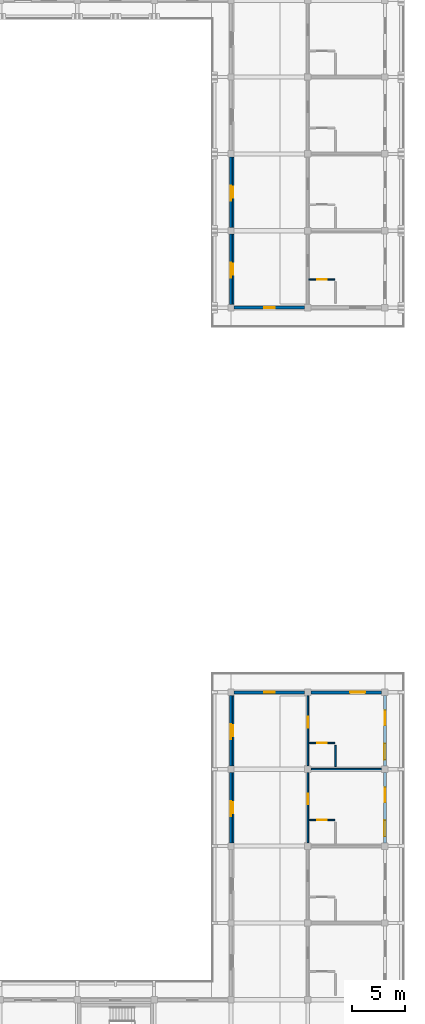
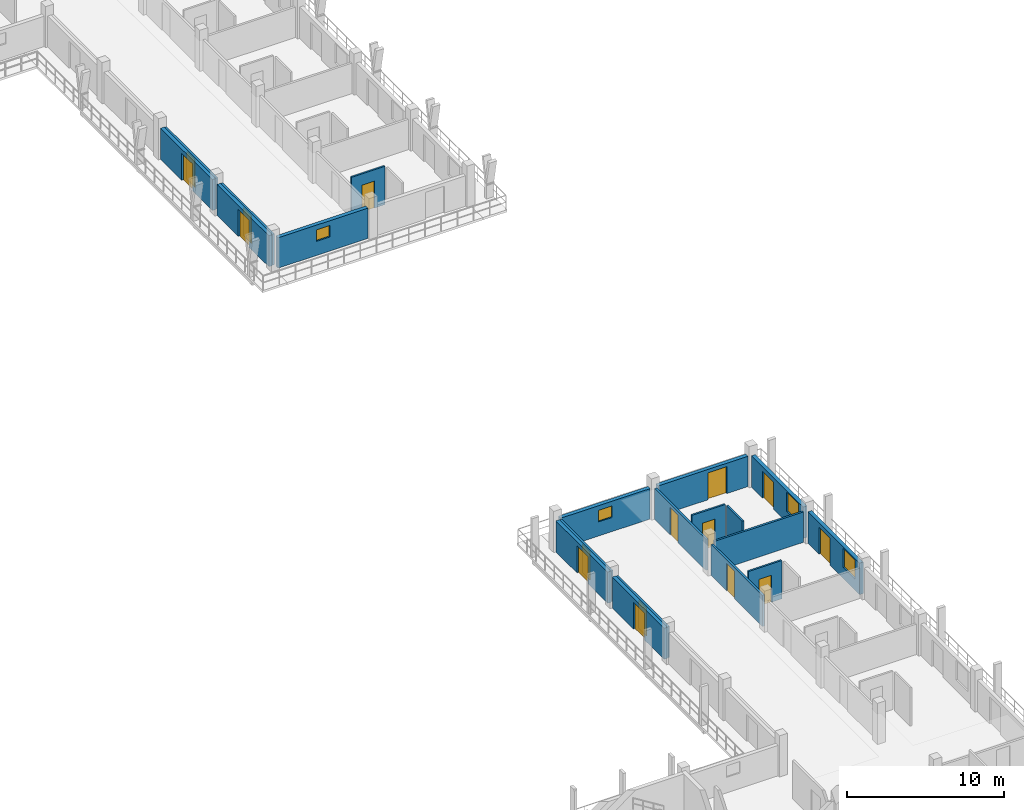
# One storey, part 55 of 76: 20 walls, 16 doors, 4 windows, 20 openings.
"""IFC4 building model written with IfcOpenShell, lengths in metres."""

from ifc_helpers import new_model, si_unit, direction, frame, frame_2d, origin, place, context, subcontext, project, spatial, rectangle, extrude, material, layer, layer_set, type_object, element, fill, save


model = new_model("IFC4")

# Units and contexts
model_context = context("Model", 3, precision=1e-05, world=origin(), true_north=direction((0.0, 1.0)))
body_context = subcontext(model_context, "Body", "Model", "MODEL_VIEW")
ifc_project = project(units=[si_unit("LENGTHUNIT", "METRE"), si_unit("AREAUNIT", "SQUARE_METRE"), si_unit("VOLUMEUNIT", "CUBIC_METRE"), si_unit("PLANEANGLEUNIT", "RADIAN"), si_unit("MASSUNIT", "GRAM", prefix="KILO")], contexts=[model_context])

# Site, building, storey
site_placement = place(None, origin())
site = spatial("IfcSite", under=ifc_project, at=site_placement, CompositionType="ELEMENT")
building_placement = place(site_placement, origin())
building = spatial("IfcBuilding", under=site, at=building_placement, Name="Suanplinth Sawtooth Commons", CompositionType="ELEMENT")
storey_placement = place(building_placement, frame((0.0, 0.0, 12.199951171875)))
storey = spatial("IfcBuildingStorey", under=building, at=storey_placement, Name="L03", CompositionType="ELEMENT", Elevation=12.199951171875)

# Wall, opening, window
ifc_material_1 = material(Name="Precast concrete C40/50", Category="concrete")
ifc_layer_1 = layer(ifc_material_1, 0.280029296875, Name="Insulated precast architectural facade wall 280mm")
ifc_layer_set_1 = layer_set([ifc_layer_1], Name="Precast concrete C40/50")
wall_type_1 = type_object("IfcWallType", Name="W-EX01", PredefinedType="ELEMENTEDWALL", material=ifc_layer_set_1)
wall_1_placement = place(storey_placement, frame((173.10009765625, 79.199951171875, 0.0), z_axis=(0.0, 0.0, 1.0), x_axis=(1.0, 0.0, 0.0)))
wall_1 = element("IfcWall", 1, at=wall_1_placement, inside=storey, type_object=wall_type_1, Name="Facade Wall W-L03-B-S-24-11", PredefinedType="ELEMENTEDWALL", context=body_context, shape_type="SweptSolid", body=[
    extrude(rectangle(XDim=6.599853515625, YDim=0.280029296875, at=frame_2d((3.2998046875, 0.0))), origin(), (0.0, 0.0, 1.0), 2.364990234375),
])
opening_1_placement = place(wall_1_placement, frame((2.800048828125, 0.0, 1.10009765625)))
opening_1 = element("IfcOpeningElement", 2, at=opening_1_placement, cuts=wall_1, Name="Opening W0364", PredefinedType="OPENING", context=body_context, shape_type="SweptSolid", body=[
    extrude(rectangle(XDim=1.0, YDim=0.89990234375, at=frame_2d((0.5, 0.449951171875))), frame((0.0, 0.15478515625, 0.0), z_axis=(0.0, -1.0, 0.0), x_axis=(1.0, 0.0, 0.0)), (0.0, 0.0, 1.0), 0.309814453125),
])
ifc_material_2 = material(Name="Thermally broken aluminium and low-E double glazing", Category="aluminium")
window_type_1 = type_object("IfcWindowType", Name="WN-12", PartitioningType="SINGLE_PANEL", PredefinedType="WINDOW", material=ifc_material_2)
window_1_placement = place(opening_1_placement, origin())
window_1 = element("IfcWindow", 3, at=window_1_placement, inside=storey, type_object=window_type_1, Name="End Window L03-B-S-24-11", OverallHeight=0.89990234375, OverallWidth=1.0, PartitioningType="SINGLE_PANEL", PredefinedType="WINDOW", context=body_context, shape_type="SweptSolid", body=[
    extrude(rectangle(XDim=1.0, YDim=0.89990234375, at=frame_2d((0.5, 0.449951171875))), frame((0.0, 0.030029296875, 0.0), z_axis=(0.0, -1.0, 0.0), x_axis=(1.0, 0.0, 0.0)), (0.0, 0.0, 1.0), 0.06005859375),
])
fill(opening_1, window_1)

# Wall, opening, door
wall_2_placement = place(storey_placement, frame((172.800048828125, 79.5, 0.0), z_axis=(0.0, 0.0, 1.0), x_axis=(0.0, 1.0, 0.0)))
wall_2 = element("IfcWall", 4, at=wall_2_placement, inside=storey, type_object=wall_type_1, Name="Facade Wall W-L03-B-W-24-11", PredefinedType="ELEMENTEDWALL", context=body_context, shape_type="SweptSolid", body=[
    extrude(rectangle(XDim=6.60009765625, YDim=0.280029296875, at=frame_2d((3.300048828125, 0.0))), origin(), (0.0, 0.0, 1.0), 2.4150390625),
])
opening_2_placement = place(wall_2_placement, frame((2.5, 0.0, 0.0)))
opening_2 = element("IfcOpeningElement", 5, at=opening_2_placement, cuts=wall_2, Name="Opening ED0254", PredefinedType="OPENING", context=body_context, shape_type="SweptSolid", body=[
    extrude(rectangle(XDim=1.39990234375, YDim=2.10009765625, at=frame_2d((0.699951171875, 1.050048828125))), frame((0.0, 0.15478515625, 0.0), z_axis=(0.0, -1.0, 0.0), x_axis=(1.0, 0.0, 0.0)), (0.0, 0.0, 1.0), 0.309814453125),
])
ifc_material_3 = material(Name="Anodized aluminium and low-E glass", Category="aluminium")
door_type_1 = type_object("IfcDoorType", Name="SD-07", OperationType="SLIDING_TO_RIGHT", PredefinedType="DOOR", material=ifc_material_3)
door_1_placement = place(opening_2_placement, frame((1.39990234375, 0.0, 0.0), z_axis=(0.0, 0.0, 1.0), x_axis=(-1.0, 0.0, 0.0)))
door_1 = element("IfcDoor", 6, at=door_1_placement, inside=storey, type_object=door_type_1, Name="Courtyard Veranda Studio Balcony Door L03-B-11", OperationType="SLIDING_TO_RIGHT", OverallHeight=2.10009765625, OverallWidth=1.39990234375, PredefinedType="DOOR", context=body_context, shape_type="SweptSolid", body=[
    extrude(rectangle(XDim=1.39990234375, YDim=2.10009765625, at=frame_2d((0.699951171875, 1.050048828125))), frame((0.0, 0.02490234375, 0.0), z_axis=(0.0, -1.0, 0.0), x_axis=(1.0, 0.0, 0.0)), (0.0, 0.0, 1.0), 0.050048828125),
])
fill(opening_2, door_1)

wall_3_placement = place(storey_placement, frame((172.800048828125, 86.699951171875, 0.0), z_axis=(0.0, 0.0, 1.0), x_axis=(0.0, 1.0, 0.0)))
wall_3 = element("IfcWall", 7, at=wall_3_placement, inside=storey, type_object=wall_type_1, Name="Facade Wall W-L03-B-W-24-12", PredefinedType="ELEMENTEDWALL", context=body_context, shape_type="SweptSolid", body=[
    extrude(rectangle(XDim=6.60009765625, YDim=0.280029296875, at=frame_2d((3.300048828125, 0.0))), origin(), (0.0, 0.0, 1.0), 2.4150390625),
])
opening_3_placement = place(wall_3_placement, frame((2.5, 0.0, 0.0)))
opening_3 = element("IfcOpeningElement", 8, at=opening_3_placement, cuts=wall_3, Name="Opening ED0255", PredefinedType="OPENING", context=body_context, shape_type="SweptSolid", body=[
    extrude(rectangle(XDim=1.39990234375, YDim=2.10009765625, at=frame_2d((0.699951171875, 1.050048828125))), frame((0.0, 0.15478515625, 0.0), z_axis=(0.0, -1.0, 0.0), x_axis=(1.0, 0.0, 0.0)), (0.0, 0.0, 1.0), 0.309814453125),
])
door_2_placement = place(opening_3_placement, frame((1.39990234375, 0.0, 0.0), z_axis=(0.0, 0.0, 1.0), x_axis=(-1.0, 0.0, 0.0)))
door_2 = element("IfcDoor", 9, at=door_2_placement, inside=storey, type_object=door_type_1, Name="Courtyard Veranda Studio Balcony Door L03-B-12", OperationType="SLIDING_TO_RIGHT", OverallHeight=2.10009765625, OverallWidth=1.39990234375, PredefinedType="DOOR", context=body_context, shape_type="SweptSolid", body=[
    extrude(rectangle(XDim=1.39990234375, YDim=2.10009765625, at=frame_2d((0.699951171875, 1.050048828125))), frame((0.0, 0.02490234375, 0.0), z_axis=(0.0, -1.0, 0.0), x_axis=(1.0, 0.0, 0.0)), (0.0, 0.0, 1.0), 0.050048828125),
])
fill(opening_3, door_2)

wall_4_placement = place(storey_placement, frame((172.800048828125, 29.10009765625, 0.0), z_axis=(0.0, 0.0, 1.0), x_axis=(0.0, 1.0, 0.0)))
wall_4 = element("IfcWall", 10, at=wall_4_placement, inside=storey, type_object=wall_type_1, Name="Facade Wall W-L03-C-W-24-4", PredefinedType="ELEMENTEDWALL", context=body_context, shape_type="SweptSolid", body=[
    extrude(rectangle(XDim=6.599853515625, YDim=0.280029296875, at=frame_2d((3.2998046875, 0.0))), origin(), (0.0, 0.0, 1.0), 2.4150390625),
])
opening_4_placement = place(wall_4_placement, frame((2.5, 0.0, 0.0)))
opening_4 = element("IfcOpeningElement", 11, at=opening_4_placement, cuts=wall_4, Name="Opening ED0279", PredefinedType="OPENING", context=body_context, shape_type="SweptSolid", body=[
    extrude(rectangle(XDim=1.39990234375, YDim=2.10009765625, at=frame_2d((0.699951171875, 1.050048828125))), frame((0.0, 0.15478515625, 0.0), z_axis=(0.0, -1.0, 0.0), x_axis=(1.0, 0.0, 0.0)), (0.0, 0.0, 1.0), 0.309814453125),
])
door_3_placement = place(opening_4_placement, frame((1.39990234375, 0.0, 0.0), z_axis=(0.0, 0.0, 1.0), x_axis=(-1.0, 0.0, 0.0)))
door_3 = element("IfcDoor", 12, at=door_3_placement, inside=storey, type_object=door_type_1, Name="Courtyard Veranda Studio Balcony Door L03-C-4", OperationType="SLIDING_TO_RIGHT", OverallHeight=2.10009765625, OverallWidth=1.39990234375, PredefinedType="DOOR", context=body_context, shape_type="SweptSolid", body=[
    extrude(rectangle(XDim=1.39990234375, YDim=2.10009765625, at=frame_2d((0.699951171875, 1.050048828125))), frame((0.0, 0.02490234375, 0.0), z_axis=(0.0, -1.0, 0.0), x_axis=(1.0, 0.0, 0.0)), (0.0, 0.0, 1.0), 0.050048828125),
])
fill(opening_4, door_3)

# Wall, opening, window
wall_5_placement = place(storey_placement, frame((173.10009765625, 43.199951171875, 0.0), z_axis=(0.0, 0.0, 1.0), x_axis=(1.0, 0.0, 0.0)))
wall_5 = element("IfcWall", 13, at=wall_5_placement, inside=storey, type_object=wall_type_1, Name="Facade Wall W-L03-C-N-24-5", PredefinedType="ELEMENTEDWALL", context=body_context, shape_type="SweptSolid", body=[
    extrude(rectangle(XDim=6.599853515625, YDim=0.280029296875, at=frame_2d((3.2998046875, 0.0))), origin(), (0.0, 0.0, 1.0), 2.364990234375),
])
opening_5_placement = place(wall_5_placement, frame((2.800048828125, 0.0, 1.10009765625)))
opening_5 = element("IfcOpeningElement", 14, at=opening_5_placement, cuts=wall_5, Name="Opening W0387", PredefinedType="OPENING", context=body_context, shape_type="SweptSolid", body=[
    extrude(rectangle(XDim=1.0, YDim=0.89990234375, at=frame_2d((0.5, 0.449951171875))), frame((0.0, 0.15478515625, 0.0), z_axis=(0.0, -1.0, 0.0), x_axis=(1.0, 0.0, 0.0)), (0.0, 0.0, 1.0), 0.309814453125),
])
window_2_placement = place(opening_5_placement, origin())
window_2 = element("IfcWindow", 15, at=window_2_placement, inside=storey, type_object=window_type_1, Name="End Window L03-C-N-24-5", OverallHeight=0.89990234375, OverallWidth=1.0, PartitioningType="SINGLE_PANEL", PredefinedType="WINDOW", context=body_context, shape_type="SweptSolid", body=[
    extrude(rectangle(XDim=1.0, YDim=0.89990234375, at=frame_2d((0.5, 0.449951171875))), frame((0.0, 0.030029296875, 0.0), z_axis=(0.0, -1.0, 0.0), x_axis=(1.0, 0.0, 0.0)), (0.0, 0.0, 1.0), 0.06005859375),
])
fill(opening_5, window_2)

# Wall, opening, door
wall_6_placement = place(storey_placement, frame((172.800048828125, 36.300048828125, 0.0), z_axis=(0.0, 0.0, 1.0), x_axis=(0.0, 1.0, 0.0)))
wall_6 = element("IfcWall", 16, at=wall_6_placement, inside=storey, type_object=wall_type_1, Name="Facade Wall W-L03-C-W-24-5", PredefinedType="ELEMENTEDWALL", context=body_context, shape_type="SweptSolid", body=[
    extrude(rectangle(XDim=6.599853515625, YDim=0.280029296875, at=frame_2d((3.2998046875, 0.0))), origin(), (0.0, 0.0, 1.0), 2.4150390625),
])
opening_6_placement = place(wall_6_placement, frame((2.5, 0.0, 0.0)))
opening_6 = element("IfcOpeningElement", 17, at=opening_6_placement, cuts=wall_6, Name="Opening ED0280", PredefinedType="OPENING", context=body_context, shape_type="SweptSolid", body=[
    extrude(rectangle(XDim=1.39990234375, YDim=2.10009765625, at=frame_2d((0.699951171875, 1.050048828125))), frame((0.0, 0.15478515625, 0.0), z_axis=(0.0, -1.0, 0.0), x_axis=(1.0, 0.0, 0.0)), (0.0, 0.0, 1.0), 0.309814453125),
])
door_4_placement = place(opening_6_placement, frame((1.39990234375, 0.0, 0.0), z_axis=(0.0, 0.0, 1.0), x_axis=(-1.0, 0.0, 0.0)))
door_4 = element("IfcDoor", 18, at=door_4_placement, inside=storey, type_object=door_type_1, Name="Courtyard Veranda Studio Balcony Door L03-C-5", OperationType="SLIDING_TO_RIGHT", OverallHeight=2.10009765625, OverallWidth=1.39990234375, PredefinedType="DOOR", context=body_context, shape_type="SweptSolid", body=[
    extrude(rectangle(XDim=1.39990234375, YDim=2.10009765625, at=frame_2d((0.699951171875, 1.050048828125))), frame((0.0, 0.02490234375, 0.0), z_axis=(0.0, -1.0, 0.0), x_axis=(1.0, 0.0, 0.0)), (0.0, 0.0, 1.0), 0.050048828125),
])
fill(opening_6, door_4)

# Wall, openings, door, window
wall_7_placement = place(storey_placement, frame((187.199951171875, 29.10009765625, 0.0), z_axis=(0.0, 0.0, 1.0), x_axis=(0.0, 1.0, 0.0)))
wall_7 = element("IfcWall", 19, at=wall_7_placement, inside=storey, type_object=wall_type_1, Name="Facade Wall W-L03-C-E-25-4", PredefinedType="ELEMENTEDWALL", context=body_context, shape_type="SweptSolid", body=[
    extrude(rectangle(XDim=6.599853515625, YDim=0.280029296875, at=frame_2d((3.2998046875, 0.0))), origin(), (0.0, 0.0, 1.0), 2.445068359375),
])
opening_7_placement = place(wall_7_placement, frame((3.800048828125, 0.0, 0.0)))
opening_7 = element("IfcOpeningElement", 20, at=opening_7_placement, cuts=wall_7, Name="Opening ED0286", PredefinedType="OPENING", context=body_context, shape_type="SweptSolid", body=[
    extrude(rectangle(XDim=1.39990234375, YDim=2.10009765625, at=frame_2d((0.699951171875, 1.050048828125))), frame((0.0, 0.15478515625, 0.0), z_axis=(0.0, -1.0, 0.0), x_axis=(1.0, 0.0, 0.0)), (0.0, 0.0, 1.0), 0.309814453125),
])
opening_8_placement = place(wall_7_placement, frame((0.60009765625, 0.0, 0.8349609375)))
opening_8 = element("IfcOpeningElement", 21, at=opening_8_placement, cuts=wall_7, Name="Opening W0392", PredefinedType="OPENING", context=body_context, shape_type="SweptSolid", body=[
    extrude(rectangle(XDim=1.5, YDim=1.5, at=frame_2d((0.75, 0.75))), frame((0.0, 0.15478515625, 0.0), z_axis=(0.0, -1.0, 0.0), x_axis=(1.0, 0.0, 0.0)), (0.0, 0.0, 1.0), 0.309814453125),
])
door_5_placement = place(opening_7_placement, frame((1.39990234375, 0.0, 0.0), z_axis=(0.0, 0.0, 1.0), x_axis=(-1.0, 0.0, 0.0)))
door_5 = element("IfcDoor", 22, at=door_5_placement, inside=storey, type_object=door_type_1, Name="Wing Balcony Sliding Door L03-C-4", OperationType="SLIDING_TO_RIGHT", OverallHeight=2.10009765625, OverallWidth=1.39990234375, PredefinedType="DOOR", context=body_context, shape_type="SweptSolid", body=[
    extrude(rectangle(XDim=1.39990234375, YDim=2.10009765625, at=frame_2d((0.699951171875, 1.050048828125))), frame((0.0, 0.02490234375, 0.0), z_axis=(0.0, -1.0, 0.0), x_axis=(1.0, 0.0, 0.0)), (0.0, 0.0, 1.0), 0.050048828125),
])
fill(opening_7, door_5)
window_type_2 = type_object("IfcWindowType", Name="WN-02", PartitioningType="DOUBLE_PANEL_VERTICAL", PredefinedType="WINDOW", material=ifc_material_2)
window_3_placement = place(opening_8_placement, origin())
window_3 = element("IfcWindow", 23, at=window_3_placement, inside=storey, type_object=window_type_2, Name="Wing Window L03-C-4", OverallHeight=1.5, OverallWidth=1.5, PartitioningType="DOUBLE_PANEL_VERTICAL", PredefinedType="WINDOW", context=body_context, shape_type="SweptSolid", body=[
    extrude(rectangle(XDim=1.5, YDim=1.5, at=frame_2d((0.75, 0.75))), frame((0.0, 0.030029296875, 0.0), z_axis=(0.0, -1.0, 0.0), x_axis=(1.0, 0.0, 0.0)), (0.0, 0.0, 1.0), 0.06005859375),
])
fill(opening_8, window_3)

# Wall, opening, door
wall_8_placement = place(storey_placement, frame((180.300048828125, 43.199951171875, 0.0), z_axis=(0.0, 0.0, 1.0), x_axis=(1.0, 0.0, 0.0)))
wall_8 = element("IfcWall", 24, at=wall_8_placement, inside=storey, type_object=wall_type_1, Name="Facade Wall W-L03-C-N-25-5", PredefinedType="ELEMENTEDWALL", context=body_context, shape_type="SweptSolid", body=[
    extrude(rectangle(XDim=6.599853515625, YDim=0.280029296875, at=frame_2d((3.2998046875, 0.0))), origin(), (0.0, 0.0, 1.0), 2.364990234375),
])
opening_9_placement = place(wall_8_placement, frame((3.64990234375, 0.0, 0.0)))
opening_9 = element("IfcOpeningElement", 25, at=opening_9_placement, cuts=wall_8, Name="Opening ED0287", PredefinedType="OPENING", context=body_context, shape_type="SweptSolid", body=[
    extrude(rectangle(XDim=1.39990234375, YDim=2.10009765625, at=frame_2d((0.699951171875, 1.050048828125))), frame((0.0, 0.15478515625, 0.0), z_axis=(0.0, -1.0, 0.0), x_axis=(1.0, 0.0, 0.0)), (0.0, 0.0, 1.0), 0.309814453125),
])
door_6_placement = place(opening_9_placement, frame((1.39990234375, 0.0, 0.0), z_axis=(0.0, 0.0, 1.0), x_axis=(-1.0, 0.0, 0.0)))
door_6 = element("IfcDoor", 26, at=door_6_placement, inside=storey, type_object=door_type_1, Name="End Balcony Sliding Door L03-C-N-25-5", OperationType="SLIDING_TO_RIGHT", OverallHeight=2.10009765625, OverallWidth=1.39990234375, PredefinedType="DOOR", context=body_context, shape_type="SweptSolid", body=[
    extrude(rectangle(XDim=1.39990234375, YDim=2.10009765625, at=frame_2d((0.699951171875, 1.050048828125))), frame((0.0, 0.02490234375, 0.0), z_axis=(0.0, -1.0, 0.0), x_axis=(1.0, 0.0, 0.0)), (0.0, 0.0, 1.0), 0.050048828125),
])
fill(opening_9, door_6)

# Wall, openings, door, window
wall_9_placement = place(storey_placement, frame((187.199951171875, 36.300048828125, 0.0), z_axis=(0.0, 0.0, 1.0), x_axis=(0.0, 1.0, 0.0)))
wall_9 = element("IfcWall", 27, at=wall_9_placement, inside=storey, type_object=wall_type_1, Name="Facade Wall W-L03-C-E-25-5", PredefinedType="ELEMENTEDWALL", context=body_context, shape_type="SweptSolid", body=[
    extrude(rectangle(XDim=6.599853515625, YDim=0.280029296875, at=frame_2d((3.2998046875, 0.0))), origin(), (0.0, 0.0, 1.0), 2.445068359375),
])
opening_10_placement = place(wall_9_placement, frame((3.800048828125, 0.0, 0.0)))
opening_10 = element("IfcOpeningElement", 28, at=opening_10_placement, cuts=wall_9, Name="Opening ED0288", PredefinedType="OPENING", context=body_context, shape_type="SweptSolid", body=[
    extrude(rectangle(XDim=1.39990234375, YDim=2.10009765625, at=frame_2d((0.699951171875, 1.050048828125))), frame((0.0, 0.15478515625, 0.0), z_axis=(0.0, -1.0, 0.0), x_axis=(1.0, 0.0, 0.0)), (0.0, 0.0, 1.0), 0.309814453125),
])
opening_11_placement = place(wall_9_placement, frame((0.60009765625, 0.0, 0.8349609375)))
opening_11 = element("IfcOpeningElement", 29, at=opening_11_placement, cuts=wall_9, Name="Opening W0393", PredefinedType="OPENING", context=body_context, shape_type="SweptSolid", body=[
    extrude(rectangle(XDim=1.5, YDim=1.5, at=frame_2d((0.75, 0.75))), frame((0.0, 0.15478515625, 0.0), z_axis=(0.0, -1.0, 0.0), x_axis=(1.0, 0.0, 0.0)), (0.0, 0.0, 1.0), 0.309814453125),
])
door_7_placement = place(opening_10_placement, frame((1.39990234375, 0.0, 0.0), z_axis=(0.0, 0.0, 1.0), x_axis=(-1.0, 0.0, 0.0)))
door_7 = element("IfcDoor", 30, at=door_7_placement, inside=storey, type_object=door_type_1, Name="Wing Balcony Sliding Door L03-C-5", OperationType="SLIDING_TO_RIGHT", OverallHeight=2.10009765625, OverallWidth=1.39990234375, PredefinedType="DOOR", context=body_context, shape_type="SweptSolid", body=[
    extrude(rectangle(XDim=1.39990234375, YDim=2.10009765625, at=frame_2d((0.699951171875, 1.050048828125))), frame((0.0, 0.02490234375, 0.0), z_axis=(0.0, -1.0, 0.0), x_axis=(1.0, 0.0, 0.0)), (0.0, 0.0, 1.0), 0.050048828125),
])
fill(opening_10, door_7)
window_4_placement = place(opening_11_placement, origin())
window_4 = element("IfcWindow", 31, at=window_4_placement, inside=storey, type_object=window_type_2, Name="Wing Window L03-C-5", OverallHeight=1.5, OverallWidth=1.5, PartitioningType="DOUBLE_PANEL_VERTICAL", PredefinedType="WINDOW", context=body_context, shape_type="SweptSolid", body=[
    extrude(rectangle(XDim=1.5, YDim=1.5, at=frame_2d((0.75, 0.75))), frame((0.0, 0.030029296875, 0.0), z_axis=(0.0, -1.0, 0.0), x_axis=(1.0, 0.0, 0.0)), (0.0, 0.0, 1.0), 0.06005859375),
])
fill(opening_11, window_4)

# Wall, opening, door
ifc_layer_2 = layer(ifc_material_1, 0.159912109375, Name="Fire-rated corridor and lobby wall 160mm")
ifc_layer_set_2 = layer_set([ifc_layer_2], Name="Precast concrete C40/50")
wall_type_2 = type_object("IfcWallType", Name="W-FW01", PredefinedType="PARTITIONING", material=ifc_layer_set_2)
wall_10_placement = place(storey_placement, frame((173.0, 79.530029296875, 0.0), z_axis=(0.0, 0.0, 1.0), x_axis=(0.0, 1.0, 0.0)))
wall_10 = element("IfcWall", 32, at=wall_10_placement, inside=storey, type_object=wall_type_2, Name="W-B-L03-LEGCOURTROOM-34-COR", PredefinedType="PARTITIONING", context=body_context, shape_type="SweptSolid", body=[
    extrude(rectangle(XDim=6.5400390625, YDim=0.159912109375, at=frame_2d((3.27001953125, 0.0))), origin(), (0.0, 0.0, 1.0), 2.4150390625),
])
opening_12_placement = place(wall_10_placement, frame((2.760009765625, 0.0, 0.0)))
opening_12 = element("IfcOpeningElement", 33, at=opening_12_placement, cuts=wall_10, Name="Opening D0951", PredefinedType="OPENING", context=body_context, shape_type="SweptSolid", body=[
    extrude(rectangle(XDim=1.02001953125, YDim=2.179931640625, at=frame_2d((0.510009765625, 1.08984375))), frame((0.0, 0.0947265625, 0.0), z_axis=(0.0, -1.0, 0.0), x_axis=(1.0, 0.0, 0.0)), (0.0, 0.0, 1.0), 0.189697265625),
])
ifc_material_4 = material(Name="Teak hardwood", Category="wood")
door_type_2 = type_object("IfcDoorType", Name="D-16", OperationType="NOTDEFINED", PredefinedType="DOOR", material=ifc_material_4)
door_8_placement = place(opening_12_placement, origin())
door_8 = element("IfcDoor", 34, at=door_8_placement, inside=storey, type_object=door_type_2, Name="Veranda Studio Door D0951", OperationType="SINGLE_SWING_LEFT", OverallHeight=2.179931640625, OverallWidth=1.02001953125, PredefinedType="DOOR", context=body_context, shape_type="SweptSolid", body=[
    extrude(rectangle(XDim=1.02001953125, YDim=2.179931640625, at=frame_2d((0.510009765625, 1.08984375))), frame((0.0, 0.02490234375, 0.0), z_axis=(0.0, -1.0, 0.0), x_axis=(1.0, 0.0, 0.0)), (0.0, 0.0, 1.0), 0.050048828125),
])
fill(opening_12, door_8)

wall_11_placement = place(storey_placement, frame((173.0, 86.72998046875, 0.0), z_axis=(0.0, 0.0, 1.0), x_axis=(0.0, 1.0, 0.0)))
wall_11 = element("IfcWall", 35, at=wall_11_placement, inside=storey, type_object=wall_type_2, Name="W-B-L03-LEGCOURTROOM-36-COR", PredefinedType="PARTITIONING", context=body_context, shape_type="SweptSolid", body=[
    extrude(rectangle(XDim=6.5400390625, YDim=0.159912109375, at=frame_2d((3.27001953125, 0.0))), origin(), (0.0, 0.0, 1.0), 2.4150390625),
])
opening_13_placement = place(wall_11_placement, frame((2.760009765625, 0.0, 0.0)))
opening_13 = element("IfcOpeningElement", 36, at=opening_13_placement, cuts=wall_11, Name="Opening D0954", PredefinedType="OPENING", context=body_context, shape_type="SweptSolid", body=[
    extrude(rectangle(XDim=1.02001953125, YDim=2.179931640625, at=frame_2d((0.510009765625, 1.08984375))), frame((0.0, 0.0947265625, 0.0), z_axis=(0.0, -1.0, 0.0), x_axis=(1.0, 0.0, 0.0)), (0.0, 0.0, 1.0), 0.189697265625),
])
door_9_placement = place(opening_13_placement, origin())
door_9 = element("IfcDoor", 37, at=door_9_placement, inside=storey, type_object=door_type_2, Name="Veranda Studio Door D0954", OperationType="SINGLE_SWING_RIGHT", OverallHeight=2.179931640625, OverallWidth=1.02001953125, PredefinedType="DOOR", context=body_context, shape_type="SweptSolid", body=[
    extrude(rectangle(XDim=1.02001953125, YDim=2.179931640625, at=frame_2d((0.510009765625, 1.08984375))), frame((0.0, 0.02490234375, 0.0), z_axis=(0.0, -1.0, 0.0), x_axis=(1.0, 0.0, 0.0)), (0.0, 0.0, 1.0), 0.050048828125),
])
fill(opening_13, door_9)

wall_12_placement = place(storey_placement, frame((180.0, 29.1298828125, 0.0), z_axis=(0.0, 0.0, 1.0), x_axis=(0.0, 1.0, 0.0)))
wall_12 = element("IfcWall", 38, at=wall_12_placement, inside=storey, type_object=wall_type_2, Name="W-C-L03-L03-COR", PredefinedType="PARTITIONING", context=body_context, shape_type="SweptSolid", body=[
    extrude(rectangle(XDim=6.5400390625, YDim=0.159912109375, at=frame_2d((3.27001953125, 0.0))), origin(), (0.0, 0.0, 1.0), 2.4150390625),
])
opening_14_placement = place(wall_12_placement, frame((3.570068359375, 0.0, 0.0)))
opening_14 = element("IfcOpeningElement", 39, at=opening_14_placement, cuts=wall_12, Name="Opening FD0998", PredefinedType="OPENING", context=body_context, shape_type="SweptSolid", body=[
    extrude(rectangle(XDim=1.0, YDim=2.14990234375, at=frame_2d((0.5, 1.074951171875))), frame((0.0, 0.0947265625, 0.0), z_axis=(0.0, -1.0, 0.0), x_axis=(1.0, 0.0, 0.0)), (0.0, 0.0, 1.0), 0.189697265625),
])
ifc_material_5 = material(Name="Teak hardwood fire-rated door assembly", Category="wood")
door_type_3 = type_object("IfcDoorType", Name="FD-03", OperationType="NOTDEFINED", PredefinedType="DOOR", material=ifc_material_5)
door_10_placement = place(opening_14_placement, frame((1.0, 0.0, 0.0), z_axis=(0.0, 0.0, 1.0), x_axis=(-1.0, 0.0, 0.0)))
door_10 = element("IfcDoor", 40, at=door_10_placement, inside=storey, type_object=door_type_3, Name="Wing Unit Entrance Door FD0998", OperationType="SINGLE_SWING_RIGHT", OverallHeight=2.14990234375, OverallWidth=1.0, PredefinedType="DOOR", context=body_context, shape_type="SweptSolid", body=[
    extrude(rectangle(XDim=1.0, YDim=2.14990234375, at=frame_2d((0.5, 1.074951171875))), frame((0.0, 0.02490234375, 0.0), z_axis=(0.0, -1.0, 0.0), x_axis=(1.0, 0.0, 0.0)), (0.0, 0.0, 1.0), 0.050048828125),
])
fill(opening_14, door_10)

wall_13_placement = place(storey_placement, frame((173.0, 29.1298828125, 0.0), z_axis=(0.0, 0.0, 1.0), x_axis=(0.0, 1.0, 0.0)))
wall_13 = element("IfcWall", 41, at=wall_13_placement, inside=storey, type_object=wall_type_2, Name="W-C-L03-LEGCOURTROOM-56-COR", PredefinedType="PARTITIONING", context=body_context, shape_type="SweptSolid", body=[
    extrude(rectangle(XDim=6.5400390625, YDim=0.159912109375, at=frame_2d((3.27001953125, 0.0))), origin(), (0.0, 0.0, 1.0), 2.4150390625),
])
opening_15_placement = place(wall_13_placement, frame((2.760009765625, 0.0, 0.0)))
opening_15 = element("IfcOpeningElement", 42, at=opening_15_placement, cuts=wall_13, Name="Opening D1000", PredefinedType="OPENING", context=body_context, shape_type="SweptSolid", body=[
    extrude(rectangle(XDim=1.02001953125, YDim=2.179931640625, at=frame_2d((0.510009765625, 1.08984375))), frame((0.0, 0.0947265625, 0.0), z_axis=(0.0, -1.0, 0.0), x_axis=(1.0, 0.0, 0.0)), (0.0, 0.0, 1.0), 0.189697265625),
])
door_11_placement = place(opening_15_placement, origin())
door_11 = element("IfcDoor", 43, at=door_11_placement, inside=storey, type_object=door_type_2, Name="Veranda Studio Door D1000", OperationType="SINGLE_SWING_RIGHT", OverallHeight=2.179931640625, OverallWidth=1.02001953125, PredefinedType="DOOR", context=body_context, shape_type="SweptSolid", body=[
    extrude(rectangle(XDim=1.02001953125, YDim=2.179931640625, at=frame_2d((0.510009765625, 1.08984375))), frame((0.0, 0.02490234375, 0.0), z_axis=(0.0, -1.0, 0.0), x_axis=(1.0, 0.0, 0.0)), (0.0, 0.0, 1.0), 0.050048828125),
])
fill(opening_15, door_11)

wall_14_placement = place(storey_placement, frame((180.0, 36.330078125, 0.0), z_axis=(0.0, 0.0, 1.0), x_axis=(0.0, 1.0, 0.0)))
wall_14 = element("IfcWall", 44, at=wall_14_placement, inside=storey, type_object=wall_type_2, Name="W-C-L03-L04-COR", PredefinedType="PARTITIONING", context=body_context, shape_type="SweptSolid", body=[
    extrude(rectangle(XDim=6.5400390625, YDim=0.159912109375, at=frame_2d((3.27001953125, 0.0))), origin(), (0.0, 0.0, 1.0), 2.4150390625),
])
opening_16_placement = place(wall_14_placement, frame((3.570068359375, 0.0, 0.0)))
opening_16 = element("IfcOpeningElement", 45, at=opening_16_placement, cuts=wall_14, Name="Opening FD1001", PredefinedType="OPENING", context=body_context, shape_type="SweptSolid", body=[
    extrude(rectangle(XDim=1.0, YDim=2.14990234375, at=frame_2d((0.5, 1.074951171875))), frame((0.0, 0.0947265625, 0.0), z_axis=(0.0, -1.0, 0.0), x_axis=(1.0, 0.0, 0.0)), (0.0, 0.0, 1.0), 0.189697265625),
])
door_12_placement = place(opening_16_placement, frame((1.0, 0.0, 0.0), z_axis=(0.0, 0.0, 1.0), x_axis=(-1.0, 0.0, 0.0)))
door_12 = element("IfcDoor", 46, at=door_12_placement, inside=storey, type_object=door_type_3, Name="Wing Unit Entrance Door FD1001", OperationType="SINGLE_SWING_LEFT", OverallHeight=2.14990234375, OverallWidth=1.0, PredefinedType="DOOR", context=body_context, shape_type="SweptSolid", body=[
    extrude(rectangle(XDim=1.0, YDim=2.14990234375, at=frame_2d((0.5, 1.074951171875))), frame((0.0, 0.02490234375, 0.0), z_axis=(0.0, -1.0, 0.0), x_axis=(1.0, 0.0, 0.0)), (0.0, 0.0, 1.0), 0.050048828125),
])
fill(opening_16, door_12)

wall_15_placement = place(storey_placement, frame((173.0, 36.330078125, 0.0), z_axis=(0.0, 0.0, 1.0), x_axis=(0.0, 1.0, 0.0)))
wall_15 = element("IfcWall", 47, at=wall_15_placement, inside=storey, type_object=wall_type_2, Name="W-C-L03-LEGCOURTROOM-58-COR", PredefinedType="PARTITIONING", context=body_context, shape_type="SweptSolid", body=[
    extrude(rectangle(XDim=6.5400390625, YDim=0.159912109375, at=frame_2d((3.27001953125, 0.0))), origin(), (0.0, 0.0, 1.0), 2.4150390625),
])
opening_17_placement = place(wall_15_placement, frame((2.760009765625, 0.0, 0.0)))
opening_17 = element("IfcOpeningElement", 48, at=opening_17_placement, cuts=wall_15, Name="Opening D1003", PredefinedType="OPENING", context=body_context, shape_type="SweptSolid", body=[
    extrude(rectangle(XDim=1.02001953125, YDim=2.179931640625, at=frame_2d((0.510009765625, 1.08984375))), frame((0.0, 0.0947265625, 0.0), z_axis=(0.0, -1.0, 0.0), x_axis=(1.0, 0.0, 0.0)), (0.0, 0.0, 1.0), 0.189697265625),
])
door_13_placement = place(opening_17_placement, origin())
door_13 = element("IfcDoor", 49, at=door_13_placement, inside=storey, type_object=door_type_2, Name="Veranda Studio Door D1003", OperationType="SINGLE_SWING_LEFT", OverallHeight=2.179931640625, OverallWidth=1.02001953125, PredefinedType="DOOR", context=body_context, shape_type="SweptSolid", body=[
    extrude(rectangle(XDim=1.02001953125, YDim=2.179931640625, at=frame_2d((0.510009765625, 1.08984375))), frame((0.0, 0.02490234375, 0.0), z_axis=(0.0, -1.0, 0.0), x_axis=(1.0, 0.0, 0.0)), (0.0, 0.0, 1.0), 0.050048828125),
])
fill(opening_17, door_13)

# Wall
ifc_layer_3 = layer(ifc_material_1, 0.14990234375, Name="Acoustic precast party demising wall 150mm")
ifc_layer_set_3 = layer_set([ifc_layer_3], Name="Precast concrete C40/50")
wall_type_3 = type_object("IfcWallType", Name="W-FW02", PredefinedType="PARTITIONING", material=ifc_layer_set_3)
wall_16_placement = place(storey_placement, frame((180.330078125, 36.0, 0.0), z_axis=(0.0, 0.0, 1.0), x_axis=(1.0, 0.0, 0.0)))
element("IfcWall", 50, at=wall_16_placement, inside=storey, type_object=wall_type_3, Name="W-C-L03-L03-PTY", PredefinedType="PARTITIONING", context=body_context, shape_type="SweptSolid", body=[
    extrude(rectangle(XDim=6.5400390625, YDim=0.14990234375, at=frame_2d((3.27001953125, 0.0))), origin(), (0.0, 0.0, 1.0), 2.364990234375),
])

# Wall, opening, door
ifc_material_6 = material(Name="Gypsum plasterboard on steel stud", Category="steel")
ifc_layer_4 = layer(ifc_material_6, 0.1298828125, Name="Moisture-resistant bathroom partition 130mm")
ifc_layer_set_4 = layer_set([ifc_layer_4], Name="Gypsum plasterboard on steel stud")
wall_type_4 = type_object("IfcWallType", Name="W-PT02", PredefinedType="PARTITIONING", material=ifc_layer_set_4)
wall_17_placement = place(storey_placement, frame((180.080078125, 81.844970703125, 0.0), z_axis=(0.0, 0.0, 1.0), x_axis=(1.0, 0.0, 0.0)))
wall_17 = element("IfcWall", 51, at=wall_17_placement, inside=storey, type_object=wall_type_4, Name="W-B-L03-L01-BTH1", PredefinedType="PARTITIONING", context=body_context, shape_type="SweptSolid", body=[
    extrude(rectangle(XDim=2.449951171875, YDim=0.1298828125, at=frame_2d((1.22509765625, 0.0))), origin(), (0.0, 0.0, 1.0), 2.97998046875),
])
opening_18_placement = place(wall_17_placement, frame((0.77490234375, 0.0, 0.0)))
opening_18 = element("IfcOpeningElement", 52, at=opening_18_placement, cuts=wall_17, Name="Opening D0950", PredefinedType="OPENING", context=body_context, shape_type="SweptSolid", body=[
    extrude(rectangle(XDim=0.89990234375, YDim=2.10009765625, at=frame_2d((0.449951171875, 1.050048828125))), frame((0.0, 0.079833984375, 0.0), z_axis=(0.0, -1.0, 0.0), x_axis=(1.0, 0.0, 0.0)), (0.0, 0.0, 1.0), 0.15966796875),
])
door_type_4 = type_object("IfcDoorType", Name="D-01", OperationType="NOTDEFINED", PredefinedType="DOOR", material=ifc_material_4)
door_14_placement = place(opening_18_placement, frame((0.89990234375, 0.0, 0.0), z_axis=(0.0, 0.0, 1.0), x_axis=(-1.0, 0.0, 0.0)))
door_14 = element("IfcDoor", 53, at=door_14_placement, inside=storey, type_object=door_type_4, Name="Bathroom Door D0950", OperationType="SINGLE_SWING_RIGHT", OverallHeight=2.10009765625, OverallWidth=0.89990234375, PredefinedType="DOOR", context=body_context, shape_type="SweptSolid", body=[
    extrude(rectangle(XDim=0.89990234375, YDim=2.10009765625, at=frame_2d((0.449951171875, 1.050048828125))), frame((0.0, 0.02490234375, 0.0), z_axis=(0.0, -1.0, 0.0), x_axis=(1.0, 0.0, 0.0)), (0.0, 0.0, 1.0), 0.050048828125),
])
fill(opening_18, door_14)

wall_18_placement = place(storey_placement, frame((180.080078125, 31.2451171875, 0.0), z_axis=(0.0, 0.0, 1.0), x_axis=(1.0, 0.0, 0.0)))
wall_18 = element("IfcWall", 54, at=wall_18_placement, inside=storey, type_object=wall_type_4, Name="W-C-L03-L03-BTH1", PredefinedType="PARTITIONING", context=body_context, shape_type="SweptSolid", body=[
    extrude(rectangle(XDim=2.449951171875, YDim=0.1298828125, at=frame_2d((1.22509765625, 0.0))), origin(), (0.0, 0.0, 1.0), 2.97998046875),
])
opening_19_placement = place(wall_18_placement, frame((0.77490234375, 0.0, 0.0)))
opening_19 = element("IfcOpeningElement", 55, at=opening_19_placement, cuts=wall_18, Name="Opening D0999", PredefinedType="OPENING", context=body_context, shape_type="SweptSolid", body=[
    extrude(rectangle(XDim=0.89990234375, YDim=2.10009765625, at=frame_2d((0.449951171875, 1.050048828125))), frame((0.0, 0.079833984375, 0.0), z_axis=(0.0, -1.0, 0.0), x_axis=(1.0, 0.0, 0.0)), (0.0, 0.0, 1.0), 0.15966796875),
])
door_15_placement = place(opening_19_placement, frame((0.89990234375, 0.0, 0.0), z_axis=(0.0, 0.0, 1.0), x_axis=(-1.0, 0.0, 0.0)))
door_15 = element("IfcDoor", 56, at=door_15_placement, inside=storey, type_object=door_type_4, Name="Bathroom Door D0999", OperationType="SINGLE_SWING_LEFT", OverallHeight=2.10009765625, OverallWidth=0.89990234375, PredefinedType="DOOR", context=body_context, shape_type="SweptSolid", body=[
    extrude(rectangle(XDim=0.89990234375, YDim=2.10009765625, at=frame_2d((0.449951171875, 1.050048828125))), frame((0.0, 0.02490234375, 0.0), z_axis=(0.0, -1.0, 0.0), x_axis=(1.0, 0.0, 0.0)), (0.0, 0.0, 1.0), 0.050048828125),
])
fill(opening_19, door_15)

wall_19_placement = place(storey_placement, frame((180.080078125, 38.445068359375, 0.0), z_axis=(0.0, 0.0, 1.0), x_axis=(1.0, 0.0, 0.0)))
wall_19 = element("IfcWall", 57, at=wall_19_placement, inside=storey, type_object=wall_type_4, Name="W-C-L03-L04-BTH1", PredefinedType="PARTITIONING", context=body_context, shape_type="SweptSolid", body=[
    extrude(rectangle(XDim=2.449951171875, YDim=0.1298828125, at=frame_2d((1.22509765625, 0.0))), origin(), (0.0, 0.0, 1.0), 2.97998046875),
])
opening_20_placement = place(wall_19_placement, frame((0.77490234375, 0.0, 0.0)))
opening_20 = element("IfcOpeningElement", 58, at=opening_20_placement, cuts=wall_19, Name="Opening D1002", PredefinedType="OPENING", context=body_context, shape_type="SweptSolid", body=[
    extrude(rectangle(XDim=0.89990234375, YDim=2.10009765625, at=frame_2d((0.449951171875, 1.050048828125))), frame((0.0, 0.079833984375, 0.0), z_axis=(0.0, -1.0, 0.0), x_axis=(1.0, 0.0, 0.0)), (0.0, 0.0, 1.0), 0.15966796875),
])
door_16_placement = place(opening_20_placement, frame((0.89990234375, 0.0, 0.0), z_axis=(0.0, 0.0, 1.0), x_axis=(-1.0, 0.0, 0.0)))
door_16 = element("IfcDoor", 59, at=door_16_placement, inside=storey, type_object=door_type_4, Name="Bathroom Door D1002", OperationType="SINGLE_SWING_RIGHT", OverallHeight=2.10009765625, OverallWidth=0.89990234375, PredefinedType="DOOR", context=body_context, shape_type="SweptSolid", body=[
    extrude(rectangle(XDim=0.89990234375, YDim=2.10009765625, at=frame_2d((0.449951171875, 1.050048828125))), frame((0.0, 0.02490234375, 0.0), z_axis=(0.0, -1.0, 0.0), x_axis=(1.0, 0.0, 0.0)), (0.0, 0.0, 1.0), 0.050048828125),
])
fill(opening_20, door_16)

# Wall
wall_20_placement = place(storey_placement, frame((182.594970703125, 36.22998046875, 0.0), z_axis=(0.0, 0.0, 1.0), x_axis=(0.0, 1.0, 0.0)))
element("IfcWall", 60, at=wall_20_placement, inside=storey, type_object=wall_type_4, Name="W-C-L03-L04-BTH2", PredefinedType="PARTITIONING", context=body_context, shape_type="SweptSolid", body=[
    extrude(rectangle(XDim=2.0, YDim=0.1298828125, at=frame_2d((1.0, 0.0))), origin(), (0.0, 0.0, 1.0), 2.97998046875),
])

save(model, "model.ifc")
